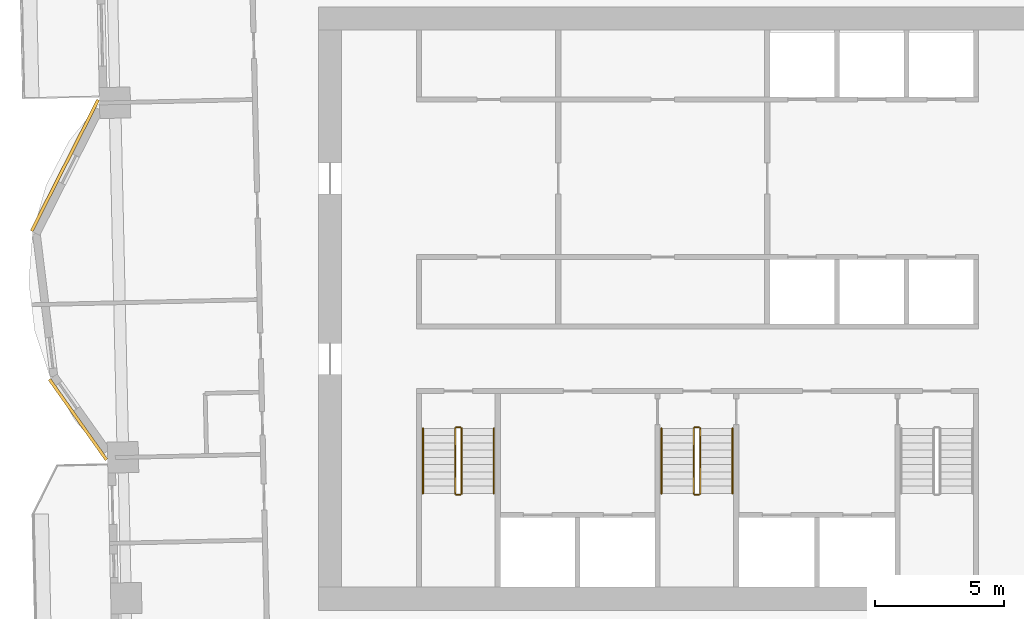
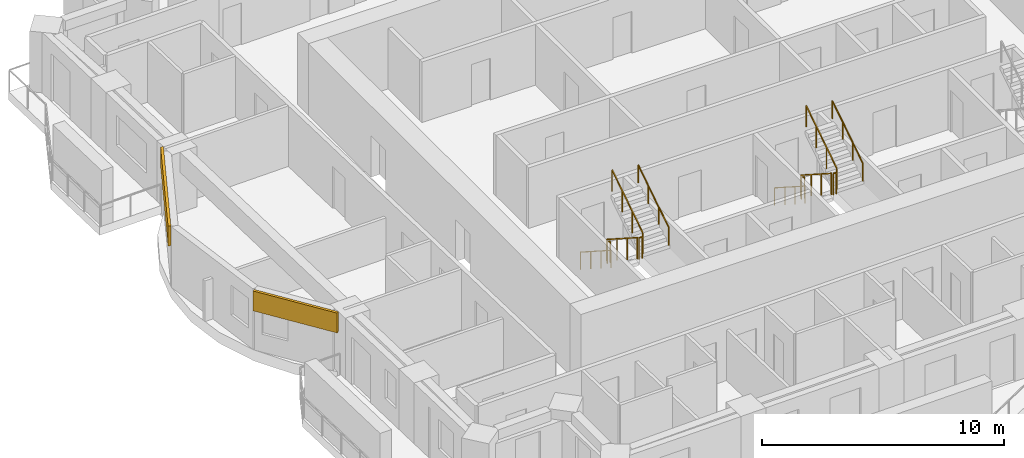
# One storey, part 12 of 14: 12 railings, 2 coverings.
"""IFC4 building model written with IfcOpenShell, lengths in metres."""

from ifc_helpers import new_model, si_unit, direction, frame, frame_2d, origin, origin_2d, place, context, subcontext, project, spatial, rectangle, circle, extrude, material, layer, layer_set, type_object, element, save


model = new_model("IFC4")

# Units and contexts
model_context = context("Model", 3, precision=1e-05, world=origin(), true_north=direction((0.0, 1.0)))
body_context = subcontext(model_context, "Body", "Model", "MODEL_VIEW")
ifc_project = project(units=[si_unit("LENGTHUNIT", "METRE"), si_unit("AREAUNIT", "SQUARE_METRE"), si_unit("VOLUMEUNIT", "CUBIC_METRE"), si_unit("PLANEANGLEUNIT", "RADIAN"), si_unit("MASSUNIT", "GRAM", prefix="KILO")], contexts=[model_context])

# Site, building, storey
site_placement = place(None, origin())
site = spatial("IfcSite", under=ifc_project, at=site_placement, CompositionType="ELEMENT")
building_placement = place(site_placement, origin())
building = spatial("IfcBuilding", under=site, at=building_placement, Name="Mangrove Gate Tower", CompositionType="ELEMENT")
storey_placement = place(building_placement, frame((0.0, 0.0, 182.5)))
storey = spatial("IfcBuildingStorey", under=building, at=storey_placement, Name="L46", CompositionType="ELEMENT", Elevation=182.5)

# Railings
ifc_material_1 = material(Name="Stainless steel 316", Category="steel")
railing_type_1 = type_object("IfcRailingType", Name="Core stair guard 1100", PredefinedType="GUARDRAIL", material=ifc_material_1)
railing_1_placement = place(storey_placement, frame((-9.39990234375, -4.64990234375, 0.179931640625)))
element("IfcRailing", 1, at=railing_1_placement, inside=storey, type_object=railing_type_1, Name="L46 ST1 stair guard 1", PredefinedType="GUARDRAIL", context=body_context, shape_type="SweptSolid", body=[
    extrude(rectangle(XDim=0.048095703125, YDim=0.048095703125, at=origin_2d()), frame((0.0, 0.0, 1.076171875), z_axis=(0.0, -0.841162588446, 0.540782303519), x_axis=(1.0, 0.0, 0.0)), (0.0, 0.0, 1.0), 2.995849609375),
    extrude(rectangle(XDim=0.0419921875, YDim=0.0419921875, at=origin_2d()), origin(), (0.0, 0.0, 1.0), 1.052001953125),
    extrude(rectangle(XDim=0.0419921875, YDim=0.0419921875, at=origin_2d()), frame((0.0, -0.840087890625, 0.5400390625)), (0.0, 0.0, 1.0), 1.052001953125),
    extrude(rectangle(XDim=0.0419921875, YDim=0.0419921875, at=origin_2d()), frame((0.0, -1.679931640625, 1.080078125)), (0.0, 0.0, 1.0), 1.052001953125),
    extrude(rectangle(XDim=0.0419921875, YDim=0.0419921875, at=origin_2d()), frame((0.0, -2.52001953125, 1.6201171875)), (0.0, 0.0, 1.0), 1.052001953125),
])
railing_2_placement = place(storey_placement, frame((-9.35009765625, -7.219970703125, 1.800048828125)))
element("IfcRailing", 2, at=railing_2_placement, inside=storey, type_object=railing_type_1, Name="L46 ST1 stair guard 2", PredefinedType="GUARDRAIL", context=body_context, shape_type="SweptSolid", body=[
    extrude(rectangle(XDim=0.048095703125, YDim=0.048095703125, at=origin_2d()), frame((0.0, 0.0, 1.076171875), z_axis=(1.0, 0.0, 0.0), x_axis=(0.0, 1.0, 0.0)), (0.0, 0.0, 1.0), 0.150146484375),
    extrude(rectangle(XDim=0.0419921875, YDim=0.0419921875, at=origin_2d()), origin(), (0.0, 0.0, 1.0), 1.052001953125),
    extrude(rectangle(XDim=0.0419921875, YDim=0.0419921875, at=origin_2d()), frame((0.150146484375, 0.0, 0.0)), (0.0, 0.0, 1.0), 1.052001953125),
])
railing_3_placement = place(storey_placement, frame((-9.14990234375, -7.169921875, 1.97998046875)))
element("IfcRailing", 3, at=railing_3_placement, inside=storey, type_object=railing_type_1, Name="L46 ST1 stair guard 3", PredefinedType="GUARDRAIL", context=body_context, shape_type="SweptSolid", body=[
    extrude(rectangle(XDim=0.048095703125, YDim=0.048095703125, at=origin_2d()), frame((0.0, 0.0, 1.076171875), z_axis=(0.0, 0.841162588446, 0.540782303519), x_axis=(-1.0, 0.0, 0.0)), (0.0, 0.0, 1.0), 2.995849609375),
    extrude(rectangle(XDim=0.0419921875, YDim=0.0419921875, at=origin_2d()), origin(), (0.0, 0.0, 1.0), 1.052001953125),
    extrude(rectangle(XDim=0.0419921875, YDim=0.0419921875, at=origin_2d()), frame((0.0, 0.840087890625, 0.5400390625)), (0.0, 0.0, 1.0), 1.052001953125),
    extrude(rectangle(XDim=0.0419921875, YDim=0.0419921875, at=origin_2d()), frame((0.0, 1.679931640625, 1.080078125)), (0.0, 0.0, 1.0), 1.052001953125),
    extrude(rectangle(XDim=0.0419921875, YDim=0.0419921875, at=origin_2d()), frame((0.0, 2.52001953125, 1.6201171875)), (0.0, 0.0, 1.0), 1.052001953125),
])
railing_4_placement = place(storey_placement, frame((-9.35009765625, -4.60009765625, 0.0)))
element("IfcRailing", 4, at=railing_4_placement, inside=storey, type_object=railing_type_1, Name="L46 ST1 stair guard 4", PredefinedType="GUARDRAIL", context=body_context, shape_type="SweptSolid", body=[
    extrude(rectangle(XDim=0.048095703125, YDim=0.048095703125, at=origin_2d()), frame((0.0, 0.0, 1.076171875), z_axis=(1.0, 0.0, 0.0), x_axis=(0.0, 1.0, 0.0)), (0.0, 0.0, 1.0), 0.150146484375),
    extrude(rectangle(XDim=0.0419921875, YDim=0.0419921875, at=origin_2d()), origin(), (0.0, 0.0, 1.0), 1.052001953125),
    extrude(rectangle(XDim=0.0419921875, YDim=0.0419921875, at=origin_2d()), frame((0.150146484375, 0.0, 0.0)), (0.0, 0.0, 1.0), 1.052001953125),
])
railing_5_placement = place(storey_placement, frame((-0.14990234375, -4.64990234375, 0.179931640625)))
element("IfcRailing", 5, at=railing_5_placement, inside=storey, type_object=railing_type_1, Name="L46 ST2 stair guard 1", PredefinedType="GUARDRAIL", context=body_context, shape_type="SweptSolid", body=[
    extrude(rectangle(XDim=0.048095703125, YDim=0.048095703125, at=origin_2d()), frame((0.0, 0.0, 1.076171875), z_axis=(0.0, -0.841162588446, 0.540782303519), x_axis=(1.0, 0.0, 0.0)), (0.0, 0.0, 1.0), 2.995849609375),
    extrude(rectangle(XDim=0.0419921875, YDim=0.0419921875, at=origin_2d()), origin(), (0.0, 0.0, 1.0), 1.052001953125),
    extrude(rectangle(XDim=0.0419921875, YDim=0.0419921875, at=origin_2d()), frame((0.0, -0.840087890625, 0.5400390625)), (0.0, 0.0, 1.0), 1.052001953125),
    extrude(rectangle(XDim=0.0419921875, YDim=0.0419921875, at=origin_2d()), frame((0.0, -1.679931640625, 1.080078125)), (0.0, 0.0, 1.0), 1.052001953125),
    extrude(rectangle(XDim=0.0419921875, YDim=0.0419921875, at=origin_2d()), frame((0.0, -2.52001953125, 1.6201171875)), (0.0, 0.0, 1.0), 1.052001953125),
])
railing_6_placement = place(storey_placement, frame((-0.10009765625, -7.219970703125, 1.800048828125)))
element("IfcRailing", 6, at=railing_6_placement, inside=storey, type_object=railing_type_1, Name="L46 ST2 stair guard 2", PredefinedType="GUARDRAIL", context=body_context, shape_type="SweptSolid", body=[
    extrude(rectangle(XDim=0.048095703125, YDim=0.048095703125, at=origin_2d()), frame((0.0, 0.0, 1.076171875), z_axis=(1.0, 0.0, 0.0), x_axis=(0.0, 1.0, 0.0)), (0.0, 0.0, 1.0), 0.150146484375),
    extrude(rectangle(XDim=0.0419921875, YDim=0.0419921875, at=origin_2d()), origin(), (0.0, 0.0, 1.0), 1.052001953125),
    extrude(rectangle(XDim=0.0419921875, YDim=0.0419921875, at=origin_2d()), frame((0.150146484375, 0.0, 0.0)), (0.0, 0.0, 1.0), 1.052001953125),
])
railing_7_placement = place(storey_placement, frame((0.10009765625, -7.169921875, 1.97998046875)))
element("IfcRailing", 7, at=railing_7_placement, inside=storey, type_object=railing_type_1, Name="L46 ST2 stair guard 3", PredefinedType="GUARDRAIL", context=body_context, shape_type="SweptSolid", body=[
    extrude(rectangle(XDim=0.048095703125, YDim=0.048095703125, at=origin_2d()), frame((0.0, 0.0, 1.076171875), z_axis=(0.0, 0.841162588446, 0.540782303519), x_axis=(-1.0, 0.0, 0.0)), (0.0, 0.0, 1.0), 2.995849609375),
    extrude(rectangle(XDim=0.0419921875, YDim=0.0419921875, at=origin_2d()), origin(), (0.0, 0.0, 1.0), 1.052001953125),
    extrude(rectangle(XDim=0.0419921875, YDim=0.0419921875, at=origin_2d()), frame((0.0, 0.840087890625, 0.5400390625)), (0.0, 0.0, 1.0), 1.052001953125),
    extrude(rectangle(XDim=0.0419921875, YDim=0.0419921875, at=origin_2d()), frame((0.0, 1.679931640625, 1.080078125)), (0.0, 0.0, 1.0), 1.052001953125),
    extrude(rectangle(XDim=0.0419921875, YDim=0.0419921875, at=origin_2d()), frame((0.0, 2.52001953125, 1.6201171875)), (0.0, 0.0, 1.0), 1.052001953125),
])
railing_8_placement = place(storey_placement, frame((-0.10009765625, -4.60009765625, 0.0)))
element("IfcRailing", 8, at=railing_8_placement, inside=storey, type_object=railing_type_1, Name="L46 ST2 stair guard 4", PredefinedType="GUARDRAIL", context=body_context, shape_type="SweptSolid", body=[
    extrude(rectangle(XDim=0.048095703125, YDim=0.048095703125, at=origin_2d()), frame((0.0, 0.0, 1.076171875), z_axis=(1.0, 0.0, 0.0), x_axis=(0.0, 1.0, 0.0)), (0.0, 0.0, 1.0), 0.150146484375),
    extrude(rectangle(XDim=0.0419921875, YDim=0.0419921875, at=origin_2d()), origin(), (0.0, 0.0, 1.0), 1.052001953125),
    extrude(rectangle(XDim=0.0419921875, YDim=0.0419921875, at=origin_2d()), frame((0.150146484375, 0.0, 0.0)), (0.0, 0.0, 1.0), 1.052001953125),
])
ifc_material_2 = material(Name="Stainless steel 316", Category="steel")
railing_type_2 = type_object("IfcRailingType", Name="Core stair handrail 900", PredefinedType="HANDRAIL", material=ifc_material_2)
railing_9_placement = place(storey_placement, frame((-10.64990234375, -4.64990234375, 0.179931640625)))
element("IfcRailing", 9, at=railing_9_placement, inside=storey, type_object=railing_type_2, Name="L46 ST1 stair handrail 1", PredefinedType="HANDRAIL", context=body_context, shape_type="SweptSolid", body=[
    extrude(circle(Radius=0.02392578125, at=origin_2d()), frame((0.0, 0.0, 0.8759765625), z_axis=(0.0, -0.841162588446, 0.540782303519), x_axis=(1.0, 0.0, 0.0)), (0.0, 0.0, 1.0), 2.995849609375),
    extrude(circle(Radius=0.02099609375, at=origin_2d()), origin(), (0.0, 0.0, 1.0), 0.851806640625),
    extrude(circle(Radius=0.02099609375, at=origin_2d()), frame((0.0, -0.840087890625, 0.5400390625)), (0.0, 0.0, 1.0), 0.851806640625),
    extrude(circle(Radius=0.02099609375, at=origin_2d()), frame((0.0, -1.679931640625, 1.080078125)), (0.0, 0.0, 1.0), 0.851806640625),
    extrude(circle(Radius=0.02099609375, at=origin_2d()), frame((0.0, -2.52001953125, 1.6201171875)), (0.0, 0.0, 1.0), 0.851806640625),
])
railing_10_placement = place(storey_placement, frame((-7.89990234375, -7.169921875, 1.97998046875)))
element("IfcRailing", 10, at=railing_10_placement, inside=storey, type_object=railing_type_2, Name="L46 ST1 stair handrail 2", PredefinedType="HANDRAIL", context=body_context, shape_type="SweptSolid", body=[
    extrude(circle(Radius=0.02392578125, at=origin_2d()), frame((0.0, 0.0, 0.8759765625), z_axis=(0.0, 0.841162588446, 0.540782303519), x_axis=(-1.0, 0.0, 0.0)), (0.0, 0.0, 1.0), 2.995849609375),
    extrude(circle(Radius=0.02099609375, at=origin_2d()), origin(), (0.0, 0.0, 1.0), 0.851806640625),
    extrude(circle(Radius=0.02099609375, at=origin_2d()), frame((0.0, 0.840087890625, 0.5400390625)), (0.0, 0.0, 1.0), 0.851806640625),
    extrude(circle(Radius=0.02099609375, at=origin_2d()), frame((0.0, 1.679931640625, 1.080078125)), (0.0, 0.0, 1.0), 0.851806640625),
    extrude(circle(Radius=0.02099609375, at=origin_2d()), frame((0.0, 2.52001953125, 1.6201171875)), (0.0, 0.0, 1.0), 0.851806640625),
])
railing_11_placement = place(storey_placement, frame((-1.39990234375, -4.64990234375, 0.179931640625)))
element("IfcRailing", 11, at=railing_11_placement, inside=storey, type_object=railing_type_2, Name="L46 ST2 stair handrail 1", PredefinedType="HANDRAIL", context=body_context, shape_type="SweptSolid", body=[
    extrude(circle(Radius=0.02392578125, at=origin_2d()), frame((0.0, 0.0, 0.8759765625), z_axis=(0.0, -0.841162588446, 0.540782303519), x_axis=(1.0, 0.0, 0.0)), (0.0, 0.0, 1.0), 2.995849609375),
    extrude(circle(Radius=0.02099609375, at=origin_2d()), origin(), (0.0, 0.0, 1.0), 0.851806640625),
    extrude(circle(Radius=0.02099609375, at=origin_2d()), frame((0.0, -0.840087890625, 0.5400390625)), (0.0, 0.0, 1.0), 0.851806640625),
    extrude(circle(Radius=0.02099609375, at=origin_2d()), frame((0.0, -1.679931640625, 1.080078125)), (0.0, 0.0, 1.0), 0.851806640625),
    extrude(circle(Radius=0.02099609375, at=origin_2d()), frame((0.0, -2.52001953125, 1.6201171875)), (0.0, 0.0, 1.0), 0.851806640625),
])
railing_12_placement = place(storey_placement, frame((1.35009765625, -7.169921875, 1.97998046875)))
element("IfcRailing", 12, at=railing_12_placement, inside=storey, type_object=railing_type_2, Name="L46 ST2 stair handrail 2", PredefinedType="HANDRAIL", context=body_context, shape_type="SweptSolid", body=[
    extrude(circle(Radius=0.02392578125, at=origin_2d()), frame((0.0, 0.0, 0.8759765625), z_axis=(0.0, 0.841162588446, 0.540782303519), x_axis=(-1.0, 0.0, 0.0)), (0.0, 0.0, 1.0), 2.995849609375),
    extrude(circle(Radius=0.02099609375, at=origin_2d()), origin(), (0.0, 0.0, 1.0), 0.851806640625),
    extrude(circle(Radius=0.02099609375, at=origin_2d()), frame((0.0, 0.840087890625, 0.5400390625)), (0.0, 0.0, 1.0), 0.851806640625),
    extrude(circle(Radius=0.02099609375, at=origin_2d()), frame((0.0, 1.679931640625, 1.080078125)), (0.0, 0.0, 1.0), 0.851806640625),
    extrude(circle(Radius=0.02099609375, at=origin_2d()), frame((0.0, 2.52001953125, 1.6201171875)), (0.0, 0.0, 1.0), 0.851806640625),
])

# Coverings
ifc_material_3 = material(Name="Limestone", Category="masonry")
ifc_layer_1 = layer(ifc_material_3, 0.0400390625, Name="Limestone cladding")
ifc_material_4 = material(Name="Stainless steel anchors and cavity", Category="steel")
ifc_layer_2 = layer(ifc_material_4, 0.080078125, Name="Fixing cavity")
ifc_layer_set = layer_set([ifc_layer_1, ifc_layer_2], Name="Joint fascia cladding 120")
covering_type = type_object("IfcCoveringType", Name="Joint fascia cladding 120", PredefinedType="CLADDING", material=ifc_layer_set)
covering_1_placement = place(storey_placement, frame((-23.2421875, 8.08837890625, 2.050048828125), z_axis=(0.0, 0.0, 1.0), x_axis=(-0.452546311406, -0.891740901851, 0.0)))
element("IfcCovering", 13, at=covering_1_placement, inside=storey, type_object=covering_type, Name="STONE FASCIA L46 W9.L1", PredefinedType="CLADDING", context=body_context, shape_type="SweptSolid", body=[
    extrude(rectangle(XDim=5.705078125, YDim=0.1201171875, at=frame_2d((2.8525390625, 0.0))), origin(), (0.0, 0.0, 1.0), 1.0),
])
covering_2_placement = place(storey_placement, frame((-25.1279296875, -2.7470703125, 2.050048828125), z_axis=(0.0, 0.0, 1.0), x_axis=(0.578168098379, -0.815917673553, 0.0)))
element("IfcCovering", 14, at=covering_2_placement, inside=storey, type_object=covering_type, Name="STONE FASCIA L46 W9.L2", PredefinedType="CLADDING", context=body_context, shape_type="SweptSolid", body=[
    extrude(rectangle(XDim=3.819091796875, YDim=0.1201171875, at=frame_2d((1.90966796875, 0.0))), origin(), (0.0, 0.0, 1.0), 1.0),
])

save(model, "model.ifc")
